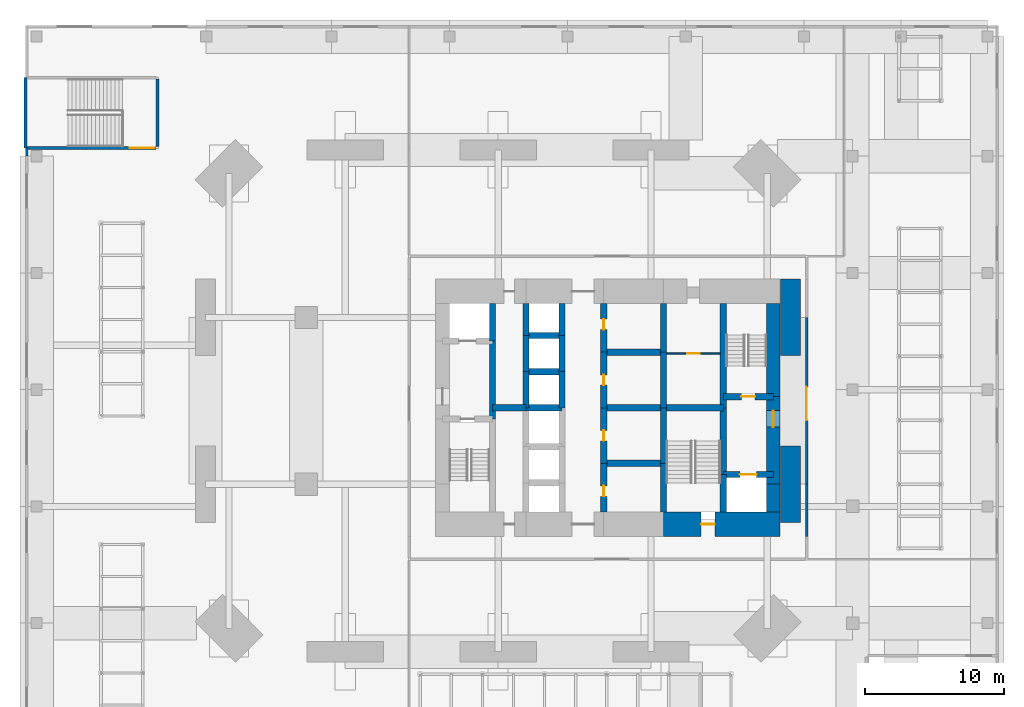
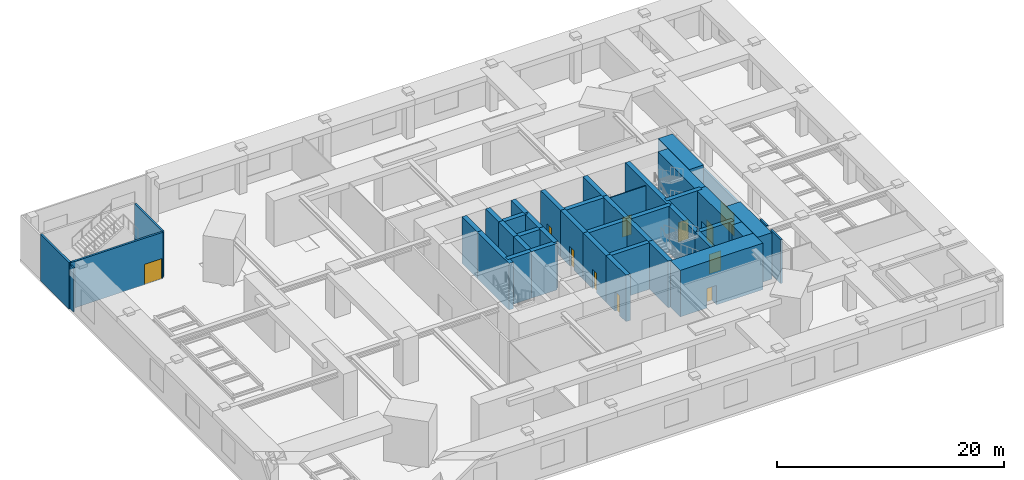
# One storey, part 12 of 17: 42 walls, 11 doors, 11 openings.
"""IFC4 building model written with IfcOpenShell, lengths in metres."""

from ifc_helpers import new_model, si_unit, direction, frame, frame_2d, origin, place, context, subcontext, project, spatial, polyline, rectangle, outline, extrude, material, layer, layer_set, constituent, constituent_set, type_object, element, fill, save


model = new_model("IFC4")

# Units and contexts
model_context = context("Model", 3, precision=1e-05, world=origin(), true_north=direction((0.0, 1.0)))
body_context = subcontext(model_context, "Body", "Model", "MODEL_VIEW")
ifc_project = project(units=[si_unit("LENGTHUNIT", "METRE"), si_unit("AREAUNIT", "SQUARE_METRE"), si_unit("VOLUMEUNIT", "CUBIC_METRE"), si_unit("PLANEANGLEUNIT", "RADIAN"), si_unit("MASSUNIT", "GRAM", prefix="KILO")], contexts=[model_context])

# Site, building, storey
site_placement = place(None, origin())
site = spatial("IfcSite", under=ifc_project, at=site_placement, CompositionType="ELEMENT")
building_placement = place(site_placement, origin())
building = spatial("IfcBuilding", under=site, at=building_placement, Name="Jalousie Tower", CompositionType="ELEMENT")
storey_placement = place(building_placement, frame((0.0, 0.0, 16.0)))
storey = spatial("IfcBuildingStorey", under=building, at=storey_placement, Name="L03", CompositionType="ELEMENT", Elevation=16.0)

# Wall
ifc_material_1 = material(Name="Concrete f'c 120 MPa", Category="concrete")
ifc_layer_1 = layer(ifc_material_1, 1.0)
ifc_layer_set_1 = layer_set([ifc_layer_1], Name="Concrete f'c 120 MPa")
wall_type_1 = type_object("IfcWallType", Name="CORE WALL 1000", PredefinedType="SHEAR", material=ifc_layer_set_1)
wall_1_placement = place(storey_placement, frame((43.800048828125, 11.0, 0.0), z_axis=(0.0, 0.0, 1.0), x_axis=(0.0, 1.0, 0.0)))
element("IfcWall", 1, at=wall_1_placement, inside=storey, type_object=wall_type_1, Name="Core wall EA L03", PredefinedType="SHEAR", context=body_context, shape_type="SweptSolid", body=[
    extrude(rectangle(XDim=2.0, YDim=1.0, at=frame_2d((1.0, 0.0))), origin(), (0.0, 0.0, 1.0), 5.0),
])

# Wall, opening, door
wall_2_placement = place(storey_placement, frame((43.800048828125, 13.0, 0.0), z_axis=(0.0, 0.0, 1.0), x_axis=(0.0, 1.0, 0.0)))
wall_2 = element("IfcWall", 2, at=wall_2_placement, inside=storey, type_object=wall_type_1, Name="Core wall EB L03", PredefinedType="SHEAR", context=body_context, shape_type="SweptSolid", body=[
    extrude(rectangle(XDim=6.300048828125, YDim=1.0, at=frame_2d((3.14990234375, 0.0))), origin(), (0.0, 0.0, 1.0), 5.0),
])
opening_1_placement = place(wall_2_placement, frame((4.10009765625, 0.0, 0.0)))
opening_1 = element("IfcOpeningElement", 3, at=opening_1_placement, cuts=wall_2, Name="Opening D11", PredefinedType="OPENING", context=body_context, shape_type="SweptSolid", body=[
    extrude(rectangle(XDim=1.199951171875, YDim=2.199951171875, at=frame_2d((0.60009765625, 1.10009765625))), frame((0.0, 0.510009765625, 0.0), z_axis=(0.0, -1.0, 0.0), x_axis=(1.0, 0.0, 0.0)), (0.0, 0.0, 1.0), 1.02001953125),
])
ifc_material_2 = material(Name="Steel fire door", Category="steel")
door_type_1 = type_object("IfcDoorType", Name="FIRE DOOR 1200", OperationType="SINGLE_SWING_LEFT", PredefinedType="DOOR", material=ifc_material_2)
door_1_placement = place(opening_1_placement, origin())
door_1 = element("IfcDoor", 4, at=door_1_placement, inside=storey, type_object=door_type_1, Name="Fire-fighting lobby B door", OperationType="SINGLE_SWING_RIGHT", OverallHeight=2.199951171875, OverallWidth=1.199951171875, PredefinedType="DOOR", context=body_context, shape_type="SweptSolid", body=[
    extrude(rectangle(XDim=1.199951171875, YDim=2.199951171875, at=frame_2d((0.60009765625, 1.10009765625))), frame((0.0, 0.02490234375, 0.0), z_axis=(0.0, -1.0, 0.0), x_axis=(1.0, 0.0, 0.0)), (0.0, 0.0, 1.0), 0.050048828125),
])
fill(opening_1, door_1)

# Wall
wall_3_placement = place(storey_placement, frame((43.800048828125, 19.300048828125, 0.0), z_axis=(0.0, 0.0, 1.0), x_axis=(0.0, 1.0, 0.0)))
element("IfcWall", 5, at=wall_3_placement, inside=storey, type_object=wall_type_1, Name="Core wall EC L03", PredefinedType="SHEAR", context=body_context, shape_type="SweptSolid", body=[
    extrude(rectangle(XDim=6.699951171875, YDim=1.0, at=frame_2d((3.35009765625, 0.0))), origin(), (0.0, 0.0, 1.0), 5.0),
])

# Wall, opening, door
ifc_material_3 = material(Name="Concrete f'c 120 MPa", Category="concrete")
ifc_layer_2 = layer(ifc_material_3, 1.75)
ifc_layer_set_2 = layer_set([ifc_layer_2], Name="Concrete f'c 120 MPa")
wall_type_2 = type_object("IfcWallType", Name="CORE WALL 1750", PredefinedType="SHEAR", material=ifc_layer_set_2)
wall_4_placement = place(storey_placement, frame((35.89990234375, 10.125, 0.0), z_axis=(0.0, 0.0, 1.0), x_axis=(1.0, 0.0, 0.0)))
wall_4 = element("IfcWall", 6, at=wall_4_placement, inside=storey, type_object=wall_type_2, Name="Core wall SD L03", PredefinedType="SHEAR", context=body_context, shape_type="SweptSolid", body=[
    extrude(rectangle(XDim=8.400146484375, YDim=1.75, at=frame_2d((4.2001953125, 0.0))), origin(), (0.0, 0.0, 1.0), 5.0),
])
opening_2_placement = place(wall_4_placement, frame((2.699951171875, 0.0, 0.0)))
opening_2 = element("IfcOpeningElement", 7, at=opening_2_placement, cuts=wall_4, Name="Opening D10", PredefinedType="OPENING", context=body_context, shape_type="SweptSolid", body=[
    extrude(rectangle(XDim=1.0, YDim=2.10009765625, at=frame_2d((0.5, 1.050048828125))), frame((0.0, 0.885009765625, 0.0), z_axis=(0.0, -1.0, 0.0), x_axis=(1.0, 0.0, 0.0)), (0.0, 0.0, 1.0), 1.77001953125),
])
ifc_material_4 = material(Name="Steel fire door", Category="steel")
door_type_2 = type_object("IfcDoorType", Name="STAIR DOOR 1000", OperationType="SINGLE_SWING_LEFT", PredefinedType="DOOR", material=ifc_material_4)
door_2_placement = place(opening_2_placement, origin())
door_2 = element("IfcDoor", 8, at=door_2_placement, inside=storey, type_object=door_type_2, Name="Exit stair C door", OperationType="SINGLE_SWING_RIGHT", OverallHeight=2.10009765625, OverallWidth=1.0, PredefinedType="DOOR", context=body_context, shape_type="SweptSolid", body=[
    extrude(rectangle(XDim=1.0, YDim=2.10009765625, at=frame_2d((0.5, 1.050048828125))), frame((0.0, 0.02490234375, 0.0), z_axis=(0.0, -1.0, 0.0), x_axis=(1.0, 0.0, 0.0)), (0.0, 0.0, 1.0), 0.050048828125),
])
fill(opening_2, door_2)

# Walls
ifc_material_5 = material(Name="Concrete f'c 120 MPa", Category="concrete")
ifc_layer_3 = layer(ifc_material_5, 0.449951171875)
ifc_layer_set_3 = layer_set([ifc_layer_3], Name="Concrete f'c 120 MPa")
wall_type_3 = type_object("IfcWallType", Name="CORE WALL 450", PredefinedType="SHEAR", material=ifc_layer_set_3)
wall_5_placement = place(storey_placement, frame((23.60009765625, 17.699951171875, 0.0), z_axis=(0.0, 0.0, 1.0), x_axis=(0.0, 1.0, 0.0)))
element("IfcWall", 9, at=wall_5_placement, inside=storey, type_object=wall_type_3, Name="Core wall X23.6B L03", PredefinedType="SHEAR", context=body_context, shape_type="SweptSolid", body=[
    extrude(rectangle(XDim=5.60009765625, YDim=0.449951171875, at=frame_2d((2.800048828125, 0.0))), origin(), (0.0, 0.0, 1.0), 5.0),
])
wall_6_placement = place(storey_placement, frame((23.60009765625, 23.300048828125, 0.0), z_axis=(0.0, 0.0, 1.0), x_axis=(0.0, 1.0, 0.0)))
element("IfcWall", 10, at=wall_6_placement, inside=storey, type_object=wall_type_3, Name="Core wall X23.6C L03", PredefinedType="SHEAR", context=body_context, shape_type="SweptSolid", body=[
    extrude(rectangle(XDim=2.699951171875, YDim=0.449951171875, at=frame_2d((1.35009765625, 0.0))), origin(), (0.0, 0.0, 1.0), 5.0),
])
wall_7_placement = place(storey_placement, frame((26.0, 18.5, 0.0), z_axis=(0.0, 0.0, 1.0), x_axis=(0.0, 1.0, 0.0)))
element("IfcWall", 11, at=wall_7_placement, inside=storey, type_object=wall_type_3, Name="Core wall X26D L03", PredefinedType="SHEAR", context=body_context, shape_type="SweptSolid", body=[
    extrude(rectangle(XDim=2.60009765625, YDim=0.449951171875, at=frame_2d((1.300048828125, 0.0))), origin(), (0.0, 0.0, 1.0), 5.0),
])
wall_8_placement = place(storey_placement, frame((26.0, 21.10009765625, 0.0), z_axis=(0.0, 0.0, 1.0), x_axis=(0.0, 1.0, 0.0)))
element("IfcWall", 12, at=wall_8_placement, inside=storey, type_object=wall_type_3, Name="Core wall X26E L03", PredefinedType="SHEAR", context=body_context, shape_type="SweptSolid", body=[
    extrude(rectangle(XDim=2.599853515625, YDim=0.449951171875, at=frame_2d((1.2998046875, 0.0))), origin(), (0.0, 0.0, 1.0), 5.0),
])
wall_9_placement = place(storey_placement, frame((26.0, 23.699951171875, 0.0), z_axis=(0.0, 0.0, 1.0), x_axis=(0.0, 1.0, 0.0)))
element("IfcWall", 13, at=wall_9_placement, inside=storey, type_object=wall_type_3, Name="Core wall X26F L03", PredefinedType="SHEAR", context=body_context, shape_type="SweptSolid", body=[
    extrude(rectangle(XDim=2.300048828125, YDim=0.449951171875, at=frame_2d((1.14990234375, 0.0))), origin(), (0.0, 0.0, 1.0), 5.0),
])
wall_10_placement = place(storey_placement, frame((28.60009765625, 18.5, 0.0), z_axis=(0.0, 0.0, 1.0), x_axis=(0.0, 1.0, 0.0)))
element("IfcWall", 14, at=wall_10_placement, inside=storey, type_object=wall_type_3, Name="Core wall X28.6D L03", PredefinedType="SHEAR", context=body_context, shape_type="SweptSolid", body=[
    extrude(rectangle(XDim=2.60009765625, YDim=0.449951171875, at=frame_2d((1.300048828125, 0.0))), origin(), (0.0, 0.0, 1.0), 5.0),
])
wall_11_placement = place(storey_placement, frame((28.60009765625, 21.10009765625, 0.0), z_axis=(0.0, 0.0, 1.0), x_axis=(0.0, 1.0, 0.0)))
element("IfcWall", 15, at=wall_11_placement, inside=storey, type_object=wall_type_3, Name="Core wall X28.6E L03", PredefinedType="SHEAR", context=body_context, shape_type="SweptSolid", body=[
    extrude(rectangle(XDim=2.599853515625, YDim=0.449951171875, at=frame_2d((1.2998046875, 0.0))), origin(), (0.0, 0.0, 1.0), 5.0),
])
wall_12_placement = place(storey_placement, frame((28.60009765625, 23.699951171875, 0.0), z_axis=(0.0, 0.0, 1.0), x_axis=(0.0, 1.0, 0.0)))
element("IfcWall", 16, at=wall_12_placement, inside=storey, type_object=wall_type_3, Name="Core wall X28.6F L03", PredefinedType="SHEAR", context=body_context, shape_type="SweptSolid", body=[
    extrude(rectangle(XDim=2.300048828125, YDim=0.449951171875, at=frame_2d((1.14990234375, 0.0))), origin(), (0.0, 0.0, 1.0), 5.0),
])

# Wall, opening, door
wall_13_placement = place(storey_placement, frame((31.60009765625, 11.0, 0.0), z_axis=(0.0, 0.0, 1.0), x_axis=(0.0, 1.0, 0.0)))
wall_13 = element("IfcWall", 17, at=wall_13_placement, inside=storey, type_object=wall_type_3, Name="Core wall X31.6A L03", PredefinedType="SHEAR", context=body_context, shape_type="SweptSolid", body=[
    extrude(rectangle(XDim=3.5, YDim=0.449951171875, at=frame_2d((1.75, 0.0))), origin(), (0.0, 0.0, 1.0), 5.0),
])
opening_3_placement = place(wall_13_placement, frame((1.125, 0.0, 0.0)))
opening_3 = element("IfcOpeningElement", 18, at=opening_3_placement, cuts=wall_13, Name="Opening D16", PredefinedType="OPENING", context=body_context, shape_type="SweptSolid", body=[
    extrude(rectangle(XDim=0.75, YDim=2.10009765625, at=frame_2d((0.375, 1.050048828125))), frame((0.0, 0.23486328125, 0.0), z_axis=(0.0, -1.0, 0.0), x_axis=(1.0, 0.0, 0.0)), (0.0, 0.0, 1.0), 0.469970703125),
])
ifc_material_6 = material(Name="Steel fire door", Category="steel")
door_type_3 = type_object("IfcDoorType", Name="RISER DOOR 750", OperationType="SINGLE_SWING_LEFT", PredefinedType="DOOR", material=ifc_material_6)
door_3_placement = place(opening_3_placement, frame((0.75, 0.0, 0.0), z_axis=(0.0, 0.0, 1.0), x_axis=(-1.0, 0.0, 0.0)))
door_3 = element("IfcDoor", 19, at=door_3_placement, inside=storey, type_object=door_type_3, Name="Refuse Room door", OperationType="SINGLE_SWING_RIGHT", OverallHeight=2.10009765625, OverallWidth=0.75, PredefinedType="DOOR", context=body_context, shape_type="SweptSolid", body=[
    extrude(rectangle(XDim=0.75, YDim=2.10009765625, at=frame_2d((0.375, 1.050048828125))), frame((0.0, 0.02490234375, 0.0), z_axis=(0.0, -1.0, 0.0), x_axis=(1.0, 0.0, 0.0)), (0.0, 0.0, 1.0), 0.050048828125),
])
fill(opening_3, door_3)

wall_14_placement = place(storey_placement, frame((31.60009765625, 14.5, 0.0), z_axis=(0.0, 0.0, 1.0), x_axis=(0.0, 1.0, 0.0)))
wall_14 = element("IfcWall", 20, at=wall_14_placement, inside=storey, type_object=wall_type_3, Name="Core wall X31.6B L03", PredefinedType="SHEAR", context=body_context, shape_type="SweptSolid", body=[
    extrude(rectangle(XDim=4.0, YDim=0.449951171875, at=frame_2d((2.0, 0.0))), origin(), (0.0, 0.0, 1.0), 5.0),
])
opening_4_placement = place(wall_14_placement, frame((1.625, 0.0, 0.0)))
opening_4 = element("IfcOpeningElement", 21, at=opening_4_placement, cuts=wall_14, Name="Opening D16", PredefinedType="OPENING", context=body_context, shape_type="SweptSolid", body=[
    extrude(rectangle(XDim=0.75, YDim=2.10009765625, at=frame_2d((0.375, 1.050048828125))), frame((0.0, 0.23486328125, 0.0), z_axis=(0.0, -1.0, 0.0), x_axis=(1.0, 0.0, 0.0)), (0.0, 0.0, 1.0), 0.469970703125),
])
door_4_placement = place(opening_4_placement, frame((0.75, 0.0, 0.0), z_axis=(0.0, 0.0, 1.0), x_axis=(-1.0, 0.0, 0.0)))
door_4 = element("IfcDoor", 22, at=door_4_placement, inside=storey, type_object=door_type_3, Name="Electrical Room door", OperationType="SINGLE_SWING_RIGHT", OverallHeight=2.10009765625, OverallWidth=0.75, PredefinedType="DOOR", context=body_context, shape_type="SweptSolid", body=[
    extrude(rectangle(XDim=0.75, YDim=2.10009765625, at=frame_2d((0.375, 1.050048828125))), frame((0.0, 0.02490234375, 0.0), z_axis=(0.0, -1.0, 0.0), x_axis=(1.0, 0.0, 0.0)), (0.0, 0.0, 1.0), 0.050048828125),
])
fill(opening_4, door_4)

wall_15_placement = place(storey_placement, frame((31.60009765625, 18.5, 0.0), z_axis=(0.0, 0.0, 1.0), x_axis=(0.0, 1.0, 0.0)))
wall_15 = element("IfcWall", 23, at=wall_15_placement, inside=storey, type_object=wall_type_3, Name="Core wall X31.6C L03", PredefinedType="SHEAR", context=body_context, shape_type="SweptSolid", body=[
    extrude(rectangle(XDim=4.0, YDim=0.449951171875, at=frame_2d((2.0, 0.0))), origin(), (0.0, 0.0, 1.0), 5.0),
])
opening_5_placement = place(wall_15_placement, frame((1.625, 0.0, 0.0)))
opening_5 = element("IfcOpeningElement", 24, at=opening_5_placement, cuts=wall_15, Name="Opening D16", PredefinedType="OPENING", context=body_context, shape_type="SweptSolid", body=[
    extrude(rectangle(XDim=0.75, YDim=2.10009765625, at=frame_2d((0.375, 1.050048828125))), frame((0.0, 0.23486328125, 0.0), z_axis=(0.0, -1.0, 0.0), x_axis=(1.0, 0.0, 0.0)), (0.0, 0.0, 1.0), 0.469970703125),
])
door_5_placement = place(opening_5_placement, frame((0.75, 0.0, 0.0), z_axis=(0.0, 0.0, 1.0), x_axis=(-1.0, 0.0, 0.0)))
door_5 = element("IfcDoor", 25, at=door_5_placement, inside=storey, type_object=door_type_3, Name="Telecom Room door", OperationType="SINGLE_SWING_RIGHT", OverallHeight=2.10009765625, OverallWidth=0.75, PredefinedType="DOOR", context=body_context, shape_type="SweptSolid", body=[
    extrude(rectangle(XDim=0.75, YDim=2.10009765625, at=frame_2d((0.375, 1.050048828125))), frame((0.0, 0.02490234375, 0.0), z_axis=(0.0, -1.0, 0.0), x_axis=(1.0, 0.0, 0.0)), (0.0, 0.0, 1.0), 0.050048828125),
])
fill(opening_5, door_5)

wall_16_placement = place(storey_placement, frame((31.60009765625, 22.5, 0.0), z_axis=(0.0, 0.0, 1.0), x_axis=(0.0, 1.0, 0.0)))
wall_16 = element("IfcWall", 26, at=wall_16_placement, inside=storey, type_object=wall_type_3, Name="Core wall X31.6D L03", PredefinedType="SHEAR", context=body_context, shape_type="SweptSolid", body=[
    extrude(rectangle(XDim=3.5, YDim=0.449951171875, at=frame_2d((1.75, 0.0))), origin(), (0.0, 0.0, 1.0), 5.0),
])
opening_6_placement = place(wall_16_placement, frame((1.625, 0.0, 0.0)))
opening_6 = element("IfcOpeningElement", 27, at=opening_6_placement, cuts=wall_16, Name="Opening D16", PredefinedType="OPENING", context=body_context, shape_type="SweptSolid", body=[
    extrude(rectangle(XDim=0.75, YDim=2.10009765625, at=frame_2d((0.375, 1.050048828125))), frame((0.0, 0.23486328125, 0.0), z_axis=(0.0, -1.0, 0.0), x_axis=(1.0, 0.0, 0.0)), (0.0, 0.0, 1.0), 0.469970703125),
])
door_6_placement = place(opening_6_placement, frame((0.75, 0.0, 0.0), z_axis=(0.0, 0.0, 1.0), x_axis=(-1.0, 0.0, 0.0)))
door_6 = element("IfcDoor", 28, at=door_6_placement, inside=storey, type_object=door_type_3, Name="Water Services Room door", OperationType="SINGLE_SWING_LEFT", OverallHeight=2.10009765625, OverallWidth=0.75, PredefinedType="DOOR", context=body_context, shape_type="SweptSolid", body=[
    extrude(rectangle(XDim=0.75, YDim=2.10009765625, at=frame_2d((0.375, 1.050048828125))), frame((0.0, 0.02490234375, 0.0), z_axis=(0.0, -1.0, 0.0), x_axis=(1.0, 0.0, 0.0)), (0.0, 0.0, 1.0), 0.050048828125),
])
fill(opening_6, door_6)

# Walls
wall_17_placement = place(storey_placement, frame((35.89990234375, 11.0, 0.0), z_axis=(0.0, 0.0, 1.0), x_axis=(0.0, 1.0, 0.0)))
element("IfcWall", 29, at=wall_17_placement, inside=storey, type_object=wall_type_3, Name="Core wall X35.9A L03", PredefinedType="SHEAR", context=body_context, shape_type="SweptSolid", body=[
    extrude(rectangle(XDim=3.5, YDim=0.449951171875, at=frame_2d((1.75, 0.0))), origin(), (0.0, 0.0, 1.0), 5.0),
])
for number, where, z_axis, x_axis, name in (
    (30, (35.89990234375, 14.5, 0.0), (0.0, 0.0, 1.0), (0.0, 1.0, 0.0), "Core wall X35.9B L03"),
    (31, (35.89990234375, 18.5, 0.0), (0.0, 0.0, 1.0), (0.0, 1.0, 0.0), "Core wall X35.9C L03"),
):
    element("IfcWall", number, at=place(storey_placement, frame(where, z_axis=z_axis, x_axis=x_axis)), inside=storey, type_object=wall_type_3, Name=name, PredefinedType="SHEAR", context=body_context, shape_type="SweptSolid", body=[
        extrude(rectangle(XDim=4.0, YDim=0.449951171875, at=frame_2d((2.0, 0.0))), origin(), (0.0, 0.0, 1.0), 5.0),
    ])
wall_18_placement = place(storey_placement, frame((35.89990234375, 22.5, 0.0), z_axis=(0.0, 0.0, 1.0), x_axis=(0.0, 1.0, 0.0)))
element("IfcWall", 32, at=wall_18_placement, inside=storey, type_object=wall_type_3, Name="Core wall X35.9D L03", PredefinedType="SHEAR", context=body_context, shape_type="SweptSolid", body=[
    extrude(rectangle(XDim=3.5, YDim=0.449951171875, at=frame_2d((1.75, 0.0))), origin(), (0.0, 0.0, 1.0), 5.0),
])
wall_19_placement = place(storey_placement, frame((40.199951171875, 11.0, 0.0), z_axis=(0.0, 0.0, 1.0), x_axis=(0.0, 1.0, 0.0)))
element("IfcWall", 33, at=wall_19_placement, inside=storey, type_object=wall_type_3, Name="Core wall X40.2A L03", PredefinedType="SHEAR", context=body_context, shape_type="SweptSolid", body=[
    extrude(rectangle(XDim=2.699951171875, YDim=0.449951171875, at=frame_2d((1.35009765625, 0.0))), origin(), (0.0, 0.0, 1.0), 5.0),
])
wall_20_placement = place(storey_placement, frame((40.199951171875, 13.699951171875, 0.0), z_axis=(0.0, 0.0, 1.0), x_axis=(0.0, 1.0, 0.0)))
element("IfcWall", 34, at=wall_20_placement, inside=storey, type_object=wall_type_3, Name="Core wall X40.2B L03", PredefinedType="SHEAR", context=body_context, shape_type="SweptSolid", body=[
    extrude(rectangle(XDim=4.800048828125, YDim=0.449951171875, at=frame_2d((2.39990234375, 0.0))), origin(), (0.0, 0.0, 1.0), 5.0),
])
wall_21_placement = place(storey_placement, frame((40.199951171875, 18.5, 0.0), z_axis=(0.0, 0.0, 1.0), x_axis=(0.0, 1.0, 0.0)))
element("IfcWall", 35, at=wall_21_placement, inside=storey, type_object=wall_type_3, Name="Core wall X40.2C L03", PredefinedType="SHEAR", context=body_context, shape_type="SweptSolid", body=[
    extrude(rectangle(XDim=7.5, YDim=0.449951171875, at=frame_2d((3.75, 0.0))), origin(), (0.0, 0.0, 1.0), 5.0),
])
wall_22_placement = place(storey_placement, frame((23.60009765625, 18.5, 0.0), z_axis=(0.0, 0.0, 1.0), x_axis=(1.0, 0.0, 0.0)))
element("IfcWall", 36, at=wall_22_placement, inside=storey, type_object=wall_type_3, Name="Core wall Y23.6-18.5 L03", PredefinedType="SHEAR", context=body_context, shape_type="SweptSolid", body=[
    extrude(rectangle(XDim=2.39990234375, YDim=0.449951171875, at=frame_2d((1.199951171875, 0.0))), origin(), (0.0, 0.0, 1.0), 5.0),
])
for number, where, z_axis, x_axis, name in (
    (37, (26.0, 18.5, 0.0), (0.0, 0.0, 1.0), (1.0, 0.0, 0.0), "Core wall Y26-18.5 L03"),
    (38, (26.0, 21.10009765625, 0.0), (0.0, 0.0, 1.0), (1.0, 0.0, 0.0), "Core wall Y26-21.1 L03"),
    (39, (26.0, 23.699951171875, 0.0), (0.0, 0.0, 1.0), (1.0, 0.0, 0.0), "Core wall Y26-23.7 L03"),
):
    element("IfcWall", number, at=place(storey_placement, frame(where, z_axis=z_axis, x_axis=x_axis)), inside=storey, type_object=wall_type_3, Name=name, PredefinedType="SHEAR", context=body_context, shape_type="SweptSolid", body=[
        extrude(rectangle(XDim=2.60009765625, YDim=0.449951171875, at=frame_2d((1.300048828125, 0.0))), origin(), (0.0, 0.0, 1.0), 5.0),
    ])
for number, where, z_axis, x_axis, name in (
    (40, (31.60009765625, 14.5, 0.0), (0.0, 0.0, 1.0), (1.0, 0.0, 0.0), "Core wall Y31.6-14.5 L03"),
    (41, (31.60009765625, 18.5, 0.0), (0.0, 0.0, 1.0), (1.0, 0.0, 0.0), "Core wall Y31.6-18.5 L03"),
    (42, (31.60009765625, 22.5, 0.0), (0.0, 0.0, 1.0), (1.0, 0.0, 0.0), "Core wall Y31.6-22.5 L03"),
):
    element("IfcWall", number, at=place(storey_placement, frame(where, z_axis=z_axis, x_axis=x_axis)), inside=storey, type_object=wall_type_3, Name=name, PredefinedType="SHEAR", context=body_context, shape_type="SweptSolid", body=[
        extrude(rectangle(XDim=4.2998046875, YDim=0.449951171875, at=frame_2d((2.14990234375, 0.0))), origin(), (0.0, 0.0, 1.0), 5.0),
    ])
wall_23_placement = place(storey_placement, frame((35.89990234375, 18.5, 0.0), z_axis=(0.0, 0.0, 1.0), x_axis=(1.0, 0.0, 0.0)))
element("IfcWall", 43, at=wall_23_placement, inside=storey, type_object=wall_type_3, Name="Core wall Y35.9-18.5 L03", PredefinedType="SHEAR", context=body_context, shape_type="SweptSolid", body=[
    extrude(rectangle(XDim=4.300048828125, YDim=0.449951171875, at=frame_2d((2.14990234375, 0.0))), origin(), (0.0, 0.0, 1.0), 5.0),
])

# Wall, opening, door
wall_24_placement = place(storey_placement, frame((40.199951171875, 13.699951171875, 0.0), z_axis=(0.0, 0.0, 1.0), x_axis=(1.0, 0.0, 0.0)))
wall_24 = element("IfcWall", 44, at=wall_24_placement, inside=storey, type_object=wall_type_3, Name="Core wall Y40.2-13.7 L03", PredefinedType="SHEAR", context=body_context, shape_type="SweptSolid", body=[
    extrude(rectangle(XDim=3.60009765625, YDim=0.449951171875, at=frame_2d((1.800048828125, 0.0))), origin(), (0.0, 0.0, 1.0), 5.0),
])
opening_7_placement = place(wall_24_placement, frame((1.199951171875, 0.0, 0.0)))
opening_7 = element("IfcOpeningElement", 45, at=opening_7_placement, cuts=wall_24, Name="Opening LD2", PredefinedType="OPENING", context=body_context, shape_type="SweptSolid", body=[
    extrude(rectangle(XDim=1.199951171875, YDim=2.10009765625, at=frame_2d((0.60009765625, 1.050048828125))), frame((0.0, 0.23486328125, 0.0), z_axis=(0.0, -1.0, 0.0), x_axis=(1.0, 0.0, 0.0)), (0.0, 0.0, 1.0), 0.469970703125),
])
ifc_material_7 = material(Name="Steel lift landing door", Category="steel")
door_type_4 = type_object("IfcDoorType", Name="LIFT LANDING DOOR 1200", OperationType="SLIDING_TO_LEFT", PredefinedType="DOOR", material=ifc_material_7)
door_7_placement = place(opening_7_placement, origin())
door_7 = element("IfcDoor", 46, at=door_7_placement, inside=storey, type_object=door_type_4, Name="Lift F2 landing door", OperationType="SLIDING_TO_LEFT", OverallHeight=2.10009765625, OverallWidth=1.199951171875, PredefinedType="DOOR", context=body_context, shape_type="SweptSolid", body=[
    extrude(rectangle(XDim=1.199951171875, YDim=2.10009765625, at=frame_2d((0.60009765625, 1.050048828125))), frame((0.0, 0.02490234375, 0.0), z_axis=(0.0, -1.0, 0.0), x_axis=(1.0, 0.0, 0.0)), (0.0, 0.0, 1.0), 0.050048828125),
])
fill(opening_7, door_7)

wall_25_placement = place(storey_placement, frame((40.199951171875, 19.300048828125, 0.0), z_axis=(0.0, 0.0, 1.0), x_axis=(1.0, 0.0, 0.0)))
wall_25 = element("IfcWall", 47, at=wall_25_placement, inside=storey, type_object=wall_type_3, Name="Core wall Y40.2-19.3 L03", PredefinedType="SHEAR", context=body_context, shape_type="SweptSolid", body=[
    extrude(rectangle(XDim=3.60009765625, YDim=0.449951171875, at=frame_2d((1.800048828125, 0.0))), origin(), (0.0, 0.0, 1.0), 5.0),
])
opening_8_placement = place(wall_25_placement, frame((1.300048828125, 0.0, 0.0)))
opening_8 = element("IfcOpeningElement", 48, at=opening_8_placement, cuts=wall_25, Name="Opening D10", PredefinedType="OPENING", context=body_context, shape_type="SweptSolid", body=[
    extrude(rectangle(XDim=1.0, YDim=2.10009765625, at=frame_2d((0.5, 1.050048828125))), frame((0.0, 0.23486328125, 0.0), z_axis=(0.0, -1.0, 0.0), x_axis=(1.0, 0.0, 0.0)), (0.0, 0.0, 1.0), 0.469970703125),
])
door_8_placement = place(opening_8_placement, origin())
door_8 = element("IfcDoor", 49, at=door_8_placement, inside=storey, type_object=door_type_2, Name="Exit stair B door", OperationType="SINGLE_SWING_RIGHT", OverallHeight=2.10009765625, OverallWidth=1.0, PredefinedType="DOOR", context=body_context, shape_type="SweptSolid", body=[
    extrude(rectangle(XDim=1.0, YDim=2.10009765625, at=frame_2d((0.5, 1.050048828125))), frame((0.0, 0.02490234375, 0.0), z_axis=(0.0, -1.0, 0.0), x_axis=(1.0, 0.0, 0.0)), (0.0, 0.0, 1.0), 0.050048828125),
])
fill(opening_8, door_8)

# Wall
ifc_material_8 = material(Name="Concrete block ASTM C90", Category="concrete")
ifc_constituent_1 = constituent(ifc_material_8, Name="Body")
ifc_material_9 = material(Name="Render")
ifc_constituent_2 = constituent(ifc_material_9, Name="Finish")
ifc_constituent_set_1 = constituent_set(constituents=[ifc_constituent_1, ifc_constituent_2])
wall_type_4 = type_object("IfcWallType", Name="CORRIDOR WALL 200", PredefinedType="PARTITIONING", material=ifc_constituent_set_1)
wall_26_placement = place(storey_placement, frame((46.199951171875, 9.25, 0.0), z_axis=(0.0, 0.0, 1.0), x_axis=(0.0, 1.0, 0.0)))
element("IfcWall", 50, at=wall_26_placement, inside=storey, type_object=wall_type_4, Name="Corridor Wall 200 L03-A", PredefinedType="PARTITIONING", context=body_context, shape_type="SweptSolid", body=[
    extrude(outline(polyline([(0.0, 0.0), (3.75, 0.0), (3.75, 4.1201171875), (3.639892578125, 4.1201171875), (3.639892578125, 4.719970703125), (2.4873046875, 4.719970703125), (2.4873046875, 4.15087890625), (1.812744140625, 4.15087890625), (1.812744140625, 4.719970703125), (0.0, 4.719970703125), (0.0, 0.0)])), frame((0.0, 0.10009765625, 0.0), z_axis=(0.0, -1.0, 0.0), x_axis=(1.0, 0.0, 0.0)), (0.0, 0.0, 1.0), 0.199951171875),
])

# Wall, opening, door
wall_27_placement = place(storey_placement, frame((46.199951171875, 13.0, 0.0), z_axis=(0.0, 0.0, 1.0), x_axis=(0.0, 1.0, 0.0)))
wall_27 = element("IfcWall", 51, at=wall_27_placement, inside=storey, type_object=wall_type_4, Name="Corridor Wall 200 L03-B", PredefinedType="PARTITIONING", context=body_context, shape_type="SweptSolid", body=[
    extrude(rectangle(XDim=12.0, YDim=0.199951171875, at=frame_2d((6.0, 0.0))), origin(), (0.0, 0.0, 1.0), 4.1201171875),
])
opening_9_placement = place(wall_27_placement, frame((4.60009765625, 0.0, 0.0)))
opening_9 = element("IfcOpeningElement", 52, at=opening_9_placement, cuts=wall_27, Name="Opening D9", PredefinedType="OPENING", context=body_context, shape_type="SweptSolid", body=[
    extrude(rectangle(XDim=2.39990234375, YDim=2.39990234375, at=frame_2d((1.199951171875, 1.199951171875))), frame((0.0, 0.10986328125, 0.0), z_axis=(0.0, -1.0, 0.0), x_axis=(1.0, 0.0, 0.0)), (0.0, 0.0, 1.0), 0.219970703125),
])
ifc_material_10 = material(Name="Steel fire door", Category="steel")
door_type_5 = type_object("IfcDoorType", Name="PLANT DOOR 2400", OperationType="DOUBLE_DOOR_SINGLE_SWING", PredefinedType="DOOR", material=ifc_material_10)
door_9_placement = place(opening_9_placement, frame((2.39990234375, 0.0, 0.0), z_axis=(0.0, 0.0, 1.0), x_axis=(-1.0, 0.0, 0.0)))
door_9 = element("IfcDoor", 53, at=door_9_placement, inside=storey, type_object=door_type_5, Name="Air handling plant room door", OperationType="DOUBLE_DOOR_SINGLE_SWING", OverallHeight=2.39990234375, OverallWidth=2.39990234375, PredefinedType="DOOR", context=body_context, shape_type="SweptSolid", body=[
    extrude(rectangle(XDim=2.39990234375, YDim=2.39990234375, at=frame_2d((1.199951171875, 1.199951171875))), frame((0.0, 0.02490234375, 0.0), z_axis=(0.0, -1.0, 0.0), x_axis=(1.0, 0.0, 0.0)), (0.0, 0.0, 1.0), 0.050048828125),
])
fill(opening_9, door_9)

# Wall
ifc_material_11 = material(Name="Concrete f'c 40 MPa", Category="concrete")
ifc_constituent_3 = constituent(ifc_material_11, Name="Body")
ifc_material_12 = material(Name="Render, pastel coral")
ifc_constituent_4 = constituent(ifc_material_12, Name="Finish")
ifc_constituent_set_2 = constituent_set(constituents=[ifc_constituent_3, ifc_constituent_4])
wall_type_5 = type_object("IfcWallType", Name="EXTERNAL WALL 175 CORAL RENDER", PredefinedType="SOLIDWALL", material=ifc_constituent_set_2)
wall_28_placement = place(storey_placement, frame((-9.91259765625, 37.199951171875, 0.0), z_axis=(0.0, 0.0, 1.0), x_axis=(0.0, -1.0, 0.0)))
element("IfcWall", 54, at=wall_28_placement, inside=storey, type_object=wall_type_5, Name="External Wall 175 Coral Render L03-A", PredefinedType="SOLIDWALL", context=body_context, shape_type="SweptSolid", body=[
    extrude(rectangle(XDim=0.599853515625, YDim=0.175048828125, at=frame_2d((0.2998046875, 0.0))), origin(), (0.0, 0.0, 1.0), 4.719970703125),
])

# Wall, opening, door
ifc_material_13 = material(Name="Gypsum board", Category="gypsum")
ifc_constituent_5 = constituent(ifc_material_13, Name="Body")
ifc_material_14 = material(Name="Light-gauge steel studs ASTM A653 SS Grade 33", Category="steel")
ifc_constituent_6 = constituent(ifc_material_14, Name="Framing")
ifc_constituent_set_3 = constituent_set(constituents=[ifc_constituent_5, ifc_constituent_6])
wall_type_6 = type_object("IfcWallType", Name="PARTITION 100", PredefinedType="PARTITIONING", material=ifc_constituent_set_3)
wall_29_placement = place(storey_placement, frame((36.125, 22.39990234375, 0.0), z_axis=(0.0, 0.0, 1.0), x_axis=(1.0, 0.0, 0.0)))
wall_29 = element("IfcWall", 55, at=wall_29_placement, inside=storey, type_object=wall_type_6, Name="Partition 100 L03", PredefinedType="PARTITIONING", context=body_context, shape_type="SweptSolid", body=[
    extrude(rectangle(XDim=3.85009765625, YDim=0.10009765625, at=frame_2d((1.925048828125, 0.0))), origin(), (0.0, 0.0, 1.0), 4.719970703125),
])
opening_10_placement = place(wall_29_placement, frame((1.47509765625, 0.0, 0.0)))
opening_10 = element("IfcOpeningElement", 56, at=opening_10_placement, cuts=wall_29, Name="Opening D7", PredefinedType="OPENING", context=body_context, shape_type="SweptSolid", body=[
    extrude(rectangle(XDim=0.89990234375, YDim=2.10009765625, at=frame_2d((0.449951171875, 1.050048828125))), frame((0.0, 0.06005859375, 0.0), z_axis=(0.0, -1.0, 0.0), x_axis=(1.0, 0.0, 0.0)), (0.0, 0.0, 1.0), 0.1201171875),
])
ifc_material_15 = material(Name="Timber door", Category="wood")
door_type_6 = type_object("IfcDoorType", Name="INTERNAL DOOR 900", OperationType="SINGLE_SWING_LEFT", PredefinedType="DOOR", material=ifc_material_15)
door_10_placement = place(opening_10_placement, origin())
door_10 = element("IfcDoor", 57, at=door_10_placement, inside=storey, type_object=door_type_6, Name="Linen store door", OperationType="SINGLE_SWING_LEFT", OverallHeight=2.10009765625, OverallWidth=0.89990234375, PredefinedType="DOOR", context=body_context, shape_type="SweptSolid", body=[
    extrude(rectangle(XDim=0.89990234375, YDim=2.10009765625, at=frame_2d((0.449951171875, 1.050048828125))), frame((0.0, 0.02490234375, 0.0), z_axis=(0.0, -1.0, 0.0), x_axis=(1.0, 0.0, 0.0)), (0.0, 0.0, 1.0), 0.050048828125),
])
fill(opening_10, door_10)

# Walls
ifc_material_16 = material(Name="Concrete f'c 120 MPa", Category="concrete")
ifc_layer_4 = layer(ifc_material_16, 1.449951171875)
ifc_layer_set_4 = layer_set([ifc_layer_4], Name="Concrete f'c 120 MPa")
wall_type_7 = type_object("IfcWallType", Name="RC WALL PIER 1450", PredefinedType="SHEAR", material=ifc_layer_set_4)
for number, where, z_axis, x_axis, name in (
    (58, (45.050048828125, 10.25, 0.0), (0.0, 0.0, 1.0), (0.0, 1.0, 0.0), "Wall pier 06 L03"),
    (59, (45.050048828125, 22.25, 0.0), (0.0, 0.0, 1.0), (0.0, 1.0, 0.0), "Wall pier 07 L03"),
):
    element("IfcWall", number, at=place(storey_placement, frame(where, z_axis=z_axis, x_axis=x_axis)), inside=storey, type_object=wall_type_7, Name=name, PredefinedType="SHEAR", context=body_context, shape_type="SweptSolid", body=[
        extrude(rectangle(XDim=5.5, YDim=1.449951171875, at=frame_2d((2.75, 0.0))), origin(), (0.0, 0.0, 1.0), 5.0),
    ])
ifc_material_17 = material(Name="Concrete block ASTM C90", Category="concrete")
ifc_constituent_7 = constituent(ifc_material_17, Name="Body")
ifc_material_18 = material(Name="Render")
ifc_constituent_8 = constituent(ifc_material_18, Name="Finish")
ifc_constituent_set_4 = constituent_set(constituents=[ifc_constituent_7, ifc_constituent_8])
wall_type_8 = type_object("IfcWallType", Name="STAIR WALL 200", PredefinedType="SOLIDWALL", material=ifc_constituent_set_4)
wall_30_placement = place(storey_placement, frame((-10.0, 42.25, 0.0), z_axis=(0.0, 0.0, 1.0), x_axis=(0.0, -1.0, 0.0)))
element("IfcWall", 60, at=wall_30_placement, inside=storey, type_object=wall_type_8, Name="Stair Wall 200 L03", PredefinedType="SOLIDWALL", context=body_context, shape_type="SweptSolid", body=[
    extrude(rectangle(XDim=5.050048828125, YDim=0.199951171875, at=frame_2d((2.52490234375, 0.0))), origin(), (0.0, 0.0, 1.0), 5.0),
])

# Wall, opening, door
wall_31_placement = place(storey_placement, frame((-10.0, 37.199951171875, 0.0), z_axis=(0.0, 0.0, 1.0), x_axis=(1.0, 0.0, 0.0)))
wall_31 = element("IfcWall", 61, at=wall_31_placement, inside=storey, type_object=wall_type_8, Name="Stair Wall 200 L03", PredefinedType="SOLIDWALL", context=body_context, shape_type="SweptSolid", body=[
    extrude(rectangle(XDim=9.39990234375, YDim=0.199951171875, at=frame_2d((4.699951171875, 0.0))), origin(), (0.0, 0.0, 1.0), 5.0),
])
opening_11_placement = place(wall_31_placement, frame((7.5, 0.0, 0.0)))
opening_11 = element("IfcOpeningElement", 62, at=opening_11_placement, cuts=wall_31, Name="Opening D17", PredefinedType="OPENING", context=body_context, shape_type="SweptSolid", body=[
    extrude(rectangle(XDim=1.800048828125, YDim=2.199951171875, at=frame_2d((0.89990234375, 1.10009765625))), frame((0.0, 0.10986328125, 0.0), z_axis=(0.0, -1.0, 0.0), x_axis=(1.0, 0.0, 0.0)), (0.0, 0.0, 1.0), 0.219970703125),
])
ifc_material_19 = material(Name="Steel fire door", Category="steel")
door_type_7 = type_object("IfcDoorType", Name="STAIR DOOR 1800", OperationType="DOUBLE_DOOR_SINGLE_SWING", PredefinedType="DOOR", material=ifc_material_19)
door_11_placement = place(opening_11_placement, origin())
door_11 = element("IfcDoor", 63, at=door_11_placement, inside=storey, type_object=door_type_7, Name="Stair PS1 door", OperationType="DOUBLE_DOOR_SINGLE_SWING", OverallHeight=2.199951171875, OverallWidth=1.800048828125, PredefinedType="DOOR", context=body_context, shape_type="SweptSolid", body=[
    extrude(rectangle(XDim=1.800048828125, YDim=2.199951171875, at=frame_2d((0.89990234375, 1.10009765625))), frame((0.0, 0.02490234375, 0.0), z_axis=(0.0, -1.0, 0.0), x_axis=(1.0, 0.0, 0.0)), (0.0, 0.0, 1.0), 0.050048828125),
])
fill(opening_11, door_11)

# Wall
wall_32_placement = place(storey_placement, frame((-0.5, 37.300048828125, 0.0), z_axis=(0.0, 0.0, 1.0), x_axis=(0.0, 1.0, 0.0)))
element("IfcWall", 64, at=wall_32_placement, inside=storey, type_object=wall_type_8, Name="Stair Wall 200 L03", PredefinedType="SOLIDWALL", context=body_context, shape_type="SweptSolid", body=[
    extrude(rectangle(XDim=4.849853515625, YDim=0.199951171875, at=frame_2d((2.4248046875, 0.0))), origin(), (0.0, 0.0, 1.0), 5.0),
])

save(model, "model.ifc")
